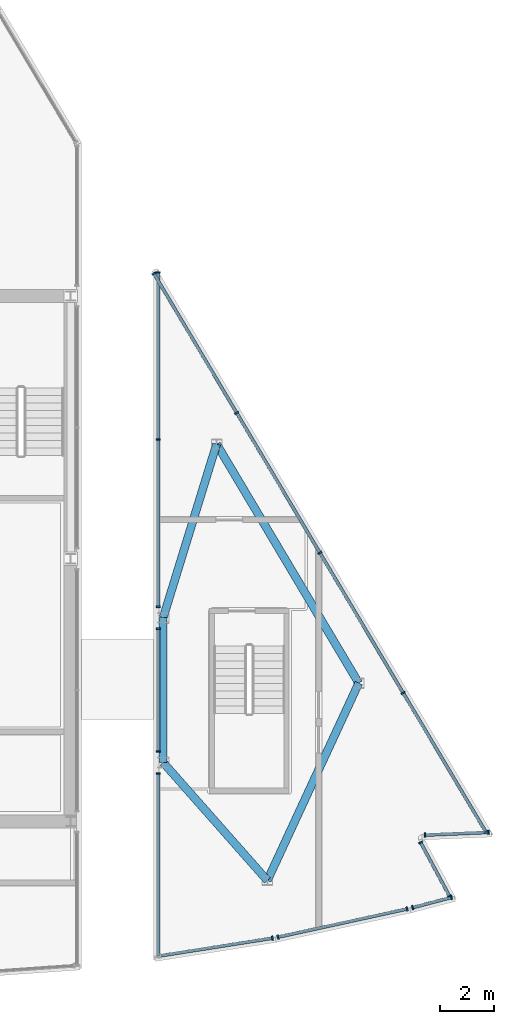
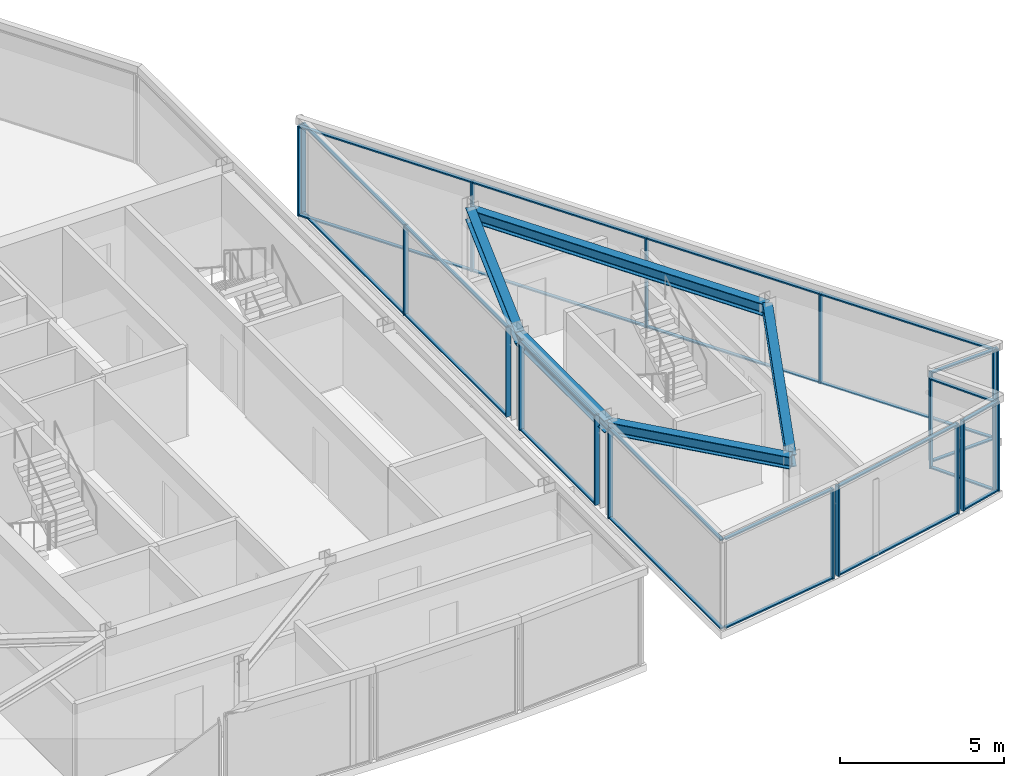
# One storey, part 6 of 15: 46 members, 5 beams, 9 elements without a shape of their own.
"""IFC4 building model written with IfcOpenShell, lengths in metres."""

from ifc_helpers import new_model, si_unit, direction, frame, origin, origin_2d, place, context, subcontext, project, spatial, rectangle, i_section, extrude, material, material_profile, profile_set, type_object, element, aggregate, save


model = new_model("IFC4")

# Units and contexts
model_context = context("Model", 3, precision=1e-05, world=origin(), true_north=direction((0.0, 1.0)))
body_context = subcontext(model_context, "Body", "Model", "MODEL_VIEW")
ifc_project = project(units=[si_unit("LENGTHUNIT", "METRE"), si_unit("AREAUNIT", "SQUARE_METRE"), si_unit("VOLUMEUNIT", "CUBIC_METRE"), si_unit("PLANEANGLEUNIT", "RADIAN"), si_unit("MASSUNIT", "GRAM", prefix="KILO")], contexts=[model_context])

# Site, building, storey
site_placement = place(None, origin())
site = spatial("IfcSite", under=ifc_project, at=site_placement, CompositionType="ELEMENT")
building_placement = place(site_placement, origin())
building = spatial("IfcBuilding", under=site, at=building_placement, Name="Savorim Split Tower", CompositionType="ELEMENT")
storey_placement = place(building_placement, frame((0.0, 0.0, 301.199951171875)))
storey = spatial("IfcBuildingStorey", under=building, at=storey_placement, Name="Crown L80 Plant", CompositionType="ELEMENT", Elevation=301.199951171875)

# Beams
ifc_material_1 = material(Name="Steel S355", Category="steel")
ifc_material_profile_1 = material_profile(ifc_material_1, i_section(OverallWidth=0.300048828125, OverallDepth=0.449951171875, WebThickness=0.013916015625, FlangeThickness=0.02587890625, FilletRadius=0.027099609375, at=origin_2d()), Name="HEB 450")
ifc_profile_set_1 = profile_set([ifc_material_profile_1], Name="Steel S355")
beam_type = type_object("IfcBeamType", Name="BM-PRI-HEB450", PredefinedType="BEAM", material=ifc_profile_set_1)
beam_1_placement = place(storey_placement, frame((11.14990234375, -1.800048828125, 3.114990234375), z_axis=(0.0, -1.0, 0.0), x_axis=(1.0, 0.0, 0.0)))
element("IfcBeam", 1, at=beam_1_placement, inside=storey, type_object=beam_type, Name="Crown L80 Plant East Crown Beam EBG-1", PredefinedType="BEAM", context=body_context, shape_type="SweptSolid", body=[
    extrude(i_section(OverallWidth=0.300048828125, OverallDepth=0.449951171875, WebThickness=0.013916015625, FlangeThickness=0.02587890625, FilletRadius=0.027099609375, at=origin_2d()), origin(), (0.0, 0.0, 1.0), 5.39990234375),
])
beam_2_placement = place(storey_placement, frame((11.14990234375, -7.199951171875, 3.114990234375), z_axis=(0.661950206721, -0.749547812899, 0.0), x_axis=(0.749547812899, 0.661950206721, 0.0)))
element("IfcBeam", 2, at=beam_2_placement, inside=storey, type_object=beam_type, Name="Crown L80 Plant East Crown Beam EBG-2", PredefinedType="BEAM", context=body_context, shape_type="SweptSolid", body=[
    extrude(i_section(OverallWidth=0.300048828125, OverallDepth=0.449951171875, WebThickness=0.013916015625, FlangeThickness=0.02587890625, FilletRadius=0.027099609375, at=origin_2d()), origin(), (0.0, 0.0, 1.0), 5.872314453125),
])
beam_3_placement = place(storey_placement, frame((15.037109375, -11.6015625, 3.114990234375), z_axis=(0.420180016877, 0.9074407713, 0.0), x_axis=(-0.9074407713, 0.420180016877, 0.0)))
element("IfcBeam", 3, at=beam_3_placement, inside=storey, type_object=beam_type, Name="Crown L80 Plant East Crown Beam EBG-3", PredefinedType="BEAM", context=body_context, shape_type="SweptSolid", body=[
    extrude(i_section(OverallWidth=0.300048828125, OverallDepth=0.449951171875, WebThickness=0.013916015625, FlangeThickness=0.02587890625, FilletRadius=0.027099609375, at=origin_2d()), origin(), (0.0, 0.0, 1.0), 8.112548828125),
])
beam_4_placement = place(storey_placement, frame((18.44580078125, -4.239990234375, 3.114990234375), z_axis=(-0.511103121152, 0.859519400333, 0.0), x_axis=(-0.859519400333, -0.511103121152, 0.0)))
element("IfcBeam", 4, at=beam_4_placement, inside=storey, type_object=beam_type, Name="Crown L80 Plant East Crown Beam EBG-4", PredefinedType="BEAM", context=body_context, shape_type="SweptSolid", body=[
    extrude(i_section(OverallWidth=0.300048828125, OverallDepth=0.449951171875, WebThickness=0.013916015625, FlangeThickness=0.02587890625, FilletRadius=0.027099609375, at=origin_2d()), origin(), (0.0, 0.0, 1.0), 10.372802734375),
])
beam_5_placement = place(storey_placement, frame((11.14990234375, -1.800048828125, 3.114990234375), z_axis=(0.294341564788, 0.955700289441, 0.0), x_axis=(-0.955700289441, 0.294341564788, 0.0)))
element("IfcBeam", 5, at=beam_5_placement, inside=storey, type_object=beam_type, Name="Crown L80 Plant East Crown Perimeter Tie Beam", PredefinedType="BEAM", context=body_context, shape_type="SweptSolid", body=[
    extrude(i_section(OverallWidth=0.300048828125, OverallDepth=0.449951171875, WebThickness=0.013916015625, FlangeThickness=0.02587890625, FilletRadius=0.027099609375, at=origin_2d()), origin(), (0.0, 0.0, 1.0), 6.775634765625),
])

# Curtain wall, members
ifc_material_2 = material(Name="Dark Ceramic-Fritted Insulated Glass", Category="glass")
curtain_wall_type = type_object("IfcCurtainWallType", Name="CW-CROWN-CREST", PredefinedType="NOTDEFINED", material=ifc_material_2)
curtain_wall_1_placement = place(storey_placement, origin())
curtain_wall_1 = element("IfcCurtainWall", 6, at=curtain_wall_1_placement, inside=storey, type_object=curtain_wall_type, Name="Crown L80 Plant Curtain Wall CW-Crown-L80-Plant-E1AS1", PredefinedType="NOTDEFINED")
ifc_material_3 = material(Name="Charcoal Anodised Aluminium", Category="aluminium")
ifc_material_profile_2 = material_profile(ifc_material_3, rectangle(XDim=0.159912109375, YDim=0.06005859375, at=origin_2d()), Name="ALU-M 160x60")
ifc_profile_set_2 = profile_set([ifc_material_profile_2], Name="Charcoal Anodised Aluminium")
member_type_1 = type_object("IfcMemberType", Name="CWM-160x60", PredefinedType="MULLION", material=ifc_profile_set_2)
member_1_placement = place(storey_placement, frame((10.969970703125, 11.08251953125, 0.0), z_axis=(0.0, 0.0, 1.0), x_axis=(1.0, 0.0, 0.0)))
member_1 = element("IfcMember", 7, at=member_1_placement, type_object=member_type_1, Name="CW-07 mullion 1", PredefinedType="MULLION", context=body_context, shape_type="SweptSolid", body=[
    extrude(rectangle(XDim=0.159912109375, YDim=0.06005859375, at=origin_2d()), origin(), (0.0, 0.0, 1.0), 3.340087890625),
])
member_2_placement = place(storey_placement, frame((10.969970703125, 4.84619140625, 0.0), z_axis=(0.0, 0.0, 1.0), x_axis=(1.0, 0.0, 0.0)))
member_2 = element("IfcMember", 8, at=member_2_placement, type_object=member_type_1, Name="CW-07 mullion 2", PredefinedType="MULLION", context=body_context, shape_type="SweptSolid", body=[
    extrude(rectangle(XDim=0.159912109375, YDim=0.06005859375, at=origin_2d()), origin(), (0.0, 0.0, 1.0), 3.340087890625),
])
member_3_placement = place(storey_placement, frame((10.969970703125, -1.389892578125, 0.0), z_axis=(0.0, 0.0, 1.0), x_axis=(1.0, 0.0, 0.0)))
member_3 = element("IfcMember", 9, at=member_3_placement, type_object=member_type_1, Name="CW-07 mullion 3", PredefinedType="MULLION", context=body_context, shape_type="SweptSolid", body=[
    extrude(rectangle(XDim=0.159912109375, YDim=0.06005859375, at=origin_2d()), origin(), (0.0, 0.0, 1.0), 3.340087890625),
])

curtain_wall_2_placement = place(storey_placement, origin())
curtain_wall_2 = element("IfcCurtainWall", 10, at=curtain_wall_2_placement, inside=storey, type_object=curtain_wall_type, Name="Crown L80 Plant Curtain Wall CW-Crown-L80-Plant-E1AS2", PredefinedType="NOTDEFINED")
member_4_placement = place(storey_placement, frame((10.969970703125, -2.2099609375, 0.0), z_axis=(0.0, 0.0, 1.0), x_axis=(1.0, 0.0, 0.0)))
member_4 = element("IfcMember", 11, at=member_4_placement, type_object=member_type_1, Name="CW-07 mullion 1", PredefinedType="MULLION", context=body_context, shape_type="SweptSolid", body=[
    extrude(rectangle(XDim=0.159912109375, YDim=0.06005859375, at=origin_2d()), origin(), (0.0, 0.0, 1.0), 3.340087890625),
])
member_5_placement = place(storey_placement, frame((10.969970703125, -6.7900390625, 0.0), z_axis=(0.0, 0.0, 1.0), x_axis=(1.0, 0.0, 0.0)))
member_5 = element("IfcMember", 12, at=member_5_placement, type_object=member_type_1, Name="CW-07 mullion 2", PredefinedType="MULLION", context=body_context, shape_type="SweptSolid", body=[
    extrude(rectangle(XDim=0.159912109375, YDim=0.06005859375, at=origin_2d()), origin(), (0.0, 0.0, 1.0), 3.340087890625),
])

# Curtain wall, member
curtain_wall_3_placement = place(storey_placement, origin())
curtain_wall_3 = element("IfcCurtainWall", 13, at=curtain_wall_3_placement, inside=storey, type_object=curtain_wall_type, Name="Crown L80 Plant Curtain Wall CW-Crown-L80-Plant-E1AS3", PredefinedType="NOTDEFINED")
member_6_placement = place(storey_placement, frame((10.969970703125, -7.610107421875, 0.0), z_axis=(0.0, 0.0, 1.0), x_axis=(1.0, 0.0, 0.0)))
member_6 = element("IfcMember", 14, at=member_6_placement, type_object=member_type_1, Name="CW-07 mullion 1", PredefinedType="MULLION", context=body_context, shape_type="SweptSolid", body=[
    extrude(rectangle(XDim=0.159912109375, YDim=0.06005859375, at=origin_2d()), origin(), (0.0, 0.0, 1.0), 3.340087890625),
])

curtain_wall_4_placement = place(storey_placement, origin())
curtain_wall_4 = element("IfcCurtainWall", 15, at=curtain_wall_4_placement, inside=storey, type_object=curtain_wall_type, Name="Crown L80 Plant Curtain Wall CW-Crown-L80-Plant-E2A", PredefinedType="NOTDEFINED")
member_7_placement = place(storey_placement, frame((15.224365234375, -13.751220703125, 0.0), z_axis=(0.0, 0.0, 1.0), x_axis=(-0.155472022798, 0.987840295861, 0.0)))
member_7 = element("IfcMember", 16, at=member_7_placement, type_object=member_type_1, Name="CW-07 mullion 2", PredefinedType="MULLION", context=body_context, shape_type="SweptSolid", body=[
    extrude(rectangle(XDim=0.159912109375, YDim=0.06005859375, at=origin_2d()), origin(), (0.0, 0.0, 1.0), 3.340087890625),
])

# Curtain wall, members
curtain_wall_5_placement = place(storey_placement, origin())
curtain_wall_5 = element("IfcCurtainWall", 17, at=curtain_wall_5_placement, inside=storey, type_object=curtain_wall_type, Name="Crown L80 Plant Curtain Wall CW-Crown-L80-Plant-E3A", PredefinedType="NOTDEFINED")
member_8_placement = place(storey_placement, frame((15.43359375, -13.7119140625, 0.0), z_axis=(0.0, 0.0, 1.0), x_axis=(-0.213220686311, 0.977004062903, 0.0)))
member_8 = element("IfcMember", 18, at=member_8_placement, type_object=member_type_1, Name="CW-07 mullion 1", PredefinedType="MULLION", context=body_context, shape_type="SweptSolid", body=[
    extrude(rectangle(XDim=0.159912109375, YDim=0.06005859375, at=origin_2d()), origin(), (0.0, 0.0, 1.0), 3.340087890625),
])
member_9_placement = place(storey_placement, frame((20.245849609375, -12.661865234375, 0.0), z_axis=(0.0, 0.0, 1.0), x_axis=(-0.213220686311, 0.977004062903, 0.0)))
member_9 = element("IfcMember", 19, at=member_9_placement, type_object=member_type_1, Name="CW-07 mullion 2", PredefinedType="MULLION", context=body_context, shape_type="SweptSolid", body=[
    extrude(rectangle(XDim=0.159912109375, YDim=0.06005859375, at=origin_2d()), origin(), (0.0, 0.0, 1.0), 3.340087890625),
])

curtain_wall_6_placement = place(storey_placement, origin())
curtain_wall_6 = element("IfcCurtainWall", 20, at=curtain_wall_6_placement, inside=storey, type_object=curtain_wall_type, Name="Crown L80 Plant Curtain Wall CW-Crown-L80-Plant-E4A", PredefinedType="NOTDEFINED")
member_10_placement = place(storey_placement, frame((20.454833984375, -12.61181640625, 0.0), z_axis=(0.0, 0.0, 1.0), x_axis=(-0.253049962794, 0.967453211442, 0.0)))
member_10 = element("IfcMember", 21, at=member_10_placement, type_object=member_type_1, Name="CW-07 mullion 1", PredefinedType="MULLION", context=body_context, shape_type="SweptSolid", body=[
    extrude(rectangle(XDim=0.159912109375, YDim=0.06005859375, at=origin_2d()), origin(), (0.0, 0.0, 1.0), 3.340087890625),
])
member_11_placement = place(storey_placement, frame((21.901611328125, -12.2333984375, 0.0), z_axis=(0.0, 0.0, 1.0), x_axis=(-0.253049962794, 0.967453211442, 0.0)))
member_11 = element("IfcMember", 22, at=member_11_placement, type_object=member_type_1, Name="CW-07 mullion 2", PredefinedType="MULLION", context=body_context, shape_type="SweptSolid", body=[
    extrude(rectangle(XDim=0.159912109375, YDim=0.06005859375, at=origin_2d()), origin(), (0.0, 0.0, 1.0), 3.340087890625),
])

curtain_wall_7_placement = place(storey_placement, origin())
curtain_wall_7 = element("IfcCurtainWall", 23, at=curtain_wall_7_placement, inside=storey, type_object=curtain_wall_type, Name="Crown L80 Plant Curtain Wall CW-Crown-L80-Plant-E5A", PredefinedType="NOTDEFINED")
member_12_placement = place(storey_placement, frame((21.8310546875, -12.18896484375, 0.0), z_axis=(0.0, 0.0, 1.0), x_axis=(-0.881163314691, -0.472812026966, 0.0)))
member_12 = element("IfcMember", 24, at=member_12_placement, type_object=member_type_1, Name="CW-07 mullion 1", PredefinedType="MULLION", context=body_context, shape_type="SweptSolid", body=[
    extrude(rectangle(XDim=0.159912109375, YDim=0.06005859375, at=origin_2d()), origin(), (0.0, 0.0, 1.0), 3.340087890625),
])
member_13_placement = place(storey_placement, frame((20.75537109375, -10.184326171875, 0.0), z_axis=(0.0, 0.0, 1.0), x_axis=(-0.881163314691, -0.472812026966, 0.0)))
member_13 = element("IfcMember", 25, at=member_13_placement, type_object=member_type_1, Name="CW-07 mullion 2", PredefinedType="MULLION", context=body_context, shape_type="SweptSolid", body=[
    extrude(rectangle(XDim=0.159912109375, YDim=0.06005859375, at=origin_2d()), origin(), (0.0, 0.0, 1.0), 3.340087890625),
])

curtain_wall_8_placement = place(storey_placement, origin())
curtain_wall_8 = element("IfcCurtainWall", 26, at=curtain_wall_8_placement, inside=storey, type_object=curtain_wall_type, Name="Crown L80 Plant Curtain Wall CW-Crown-L80-Plant-E6A", PredefinedType="NOTDEFINED")
member_14_placement = place(storey_placement, frame((20.9140625, -9.90625, 0.0), z_axis=(0.0, 0.0, 1.0), x_axis=(-0.042504260501, 0.99909628557, 0.0)))
member_14 = element("IfcMember", 27, at=member_14_placement, type_object=member_type_1, Name="CW-07 mullion 1", PredefinedType="MULLION", context=body_context, shape_type="SweptSolid", body=[
    extrude(rectangle(XDim=0.159912109375, YDim=0.06005859375, at=origin_2d()), origin(), (0.0, 0.0, 1.0), 3.340087890625),
])
member_15_placement = place(storey_placement, frame((23.289306640625, -9.80517578125, 0.0), z_axis=(0.0, 0.0, 1.0), x_axis=(-0.042504260501, 0.99909628557, 0.0)))
member_15 = element("IfcMember", 28, at=member_15_placement, type_object=member_type_1, Name="CW-07 mullion 2", PredefinedType="MULLION", context=body_context, shape_type="SweptSolid", body=[
    extrude(rectangle(XDim=0.159912109375, YDim=0.06005859375, at=origin_2d()), origin(), (0.0, 0.0, 1.0), 3.340087890625),
])

curtain_wall_9_placement = place(storey_placement, origin())
curtain_wall_9 = element("IfcCurtainWall", 29, at=curtain_wall_9_placement, inside=storey, type_object=curtain_wall_type, Name="Crown L80 Plant Curtain Wall CW-Crown-L80-Plant-E7A", PredefinedType="NOTDEFINED")
member_16_placement = place(storey_placement, frame((23.191162109375, -9.796875, 0.0), z_axis=(0.0, 0.0, 1.0), x_axis=(-0.859524454162, -0.51109462206, 0.0)))
member_16 = element("IfcMember", 30, at=member_16_placement, type_object=member_type_1, Name="CW-07 mullion 1", PredefinedType="MULLION", context=body_context, shape_type="SweptSolid", body=[
    extrude(rectangle(XDim=0.159912109375, YDim=0.06005859375, at=origin_2d()), origin(), (0.0, 0.0, 1.0), 3.340087890625),
])
member_17_placement = place(storey_placement, frame((20.101806640625, -4.601318359375, 0.0), z_axis=(0.0, 0.0, 1.0), x_axis=(-0.859524454162, -0.51109462206, 0.0)))
member_17 = element("IfcMember", 31, at=member_17_placement, type_object=member_type_1, Name="CW-07 mullion 2", PredefinedType="MULLION", context=body_context, shape_type="SweptSolid", body=[
    extrude(rectangle(XDim=0.159912109375, YDim=0.06005859375, at=origin_2d()), origin(), (0.0, 0.0, 1.0), 3.340087890625),
])
member_18_placement = place(storey_placement, frame((16.9970703125, 0.619873046875, 0.0), z_axis=(0.0, 0.0, 1.0), x_axis=(-0.859524454162, -0.51109462206, 0.0)))
member_18 = element("IfcMember", 32, at=member_18_placement, type_object=member_type_1, Name="CW-07 mullion 3", PredefinedType="MULLION", context=body_context, shape_type="SweptSolid", body=[
    extrude(rectangle(XDim=0.159912109375, YDim=0.06005859375, at=origin_2d()), origin(), (0.0, 0.0, 1.0), 3.340087890625),
])
member_19_placement = place(storey_placement, frame((13.892333984375, 5.841064453125, 0.0), z_axis=(0.0, 0.0, 1.0), x_axis=(-0.859524454162, -0.51109462206, 0.0)))
member_19 = element("IfcMember", 33, at=member_19_placement, type_object=member_type_1, Name="CW-07 mullion 4", PredefinedType="MULLION", context=body_context, shape_type="SweptSolid", body=[
    extrude(rectangle(XDim=0.159912109375, YDim=0.06005859375, at=origin_2d()), origin(), (0.0, 0.0, 1.0), 3.340087890625),
])
member_20_placement = place(storey_placement, frame((10.802978515625, 11.03662109375, 0.0), z_axis=(0.0, 0.0, 1.0), x_axis=(-0.859524454162, -0.51109462206, 0.0)))
member_20 = element("IfcMember", 34, at=member_20_placement, type_object=member_type_1, Name="CW-07 mullion 5", PredefinedType="MULLION", context=body_context, shape_type="SweptSolid", body=[
    extrude(rectangle(XDim=0.159912109375, YDim=0.06005859375, at=origin_2d()), origin(), (0.0, 0.0, 1.0), 3.340087890625),
])

# Member
ifc_material_profile_3 = material_profile(ifc_material_3, rectangle(XDim=0.1201171875, YDim=0.050048828125, at=origin_2d()), Name="ALU-T 120x50")
ifc_profile_set_3 = profile_set([ifc_material_profile_3], Name="Charcoal Anodised Aluminium")
member_type_2 = type_object("IfcMemberType", Name="CWT-120x50", PredefinedType="USERDEFINED", material=ifc_profile_set_3)
member_21_placement = place(storey_placement, frame((10.969970703125, 11.052490234375, 0.025146484375), z_axis=(0.0, -1.0, 0.0), x_axis=(1.0, 0.0, 0.0)))
member_21 = element("IfcMember", 35, at=member_21_placement, type_object=member_type_2, Name="CW-07 transom 1.1", ObjectType="TRANSOM", PredefinedType="USERDEFINED", context=body_context, shape_type="SweptSolid", body=[
    extrude(rectangle(XDim=0.1201171875, YDim=0.050048828125, at=origin_2d()), origin(), (0.0, 0.0, 1.0), 6.17626953125),
])

member_22_placement = place(storey_placement, frame((10.969970703125, 11.052490234375, 3.31494140625), z_axis=(0.0, -1.0, 0.0), x_axis=(1.0, 0.0, 0.0)))
member_22 = element("IfcMember", 36, at=member_22_placement, type_object=member_type_2, Name="CW-07 transom 1.2", ObjectType="TRANSOM", PredefinedType="USERDEFINED", context=body_context, shape_type="SweptSolid", body=[
    extrude(rectangle(XDim=0.1201171875, YDim=0.050048828125, at=origin_2d()), origin(), (0.0, 0.0, 1.0), 6.17626953125),
])

member_23_placement = place(storey_placement, frame((10.969970703125, 4.816162109375, 0.025146484375), z_axis=(0.0, -1.0, 0.0), x_axis=(1.0, 0.0, 0.0)))
member_23 = element("IfcMember", 37, at=member_23_placement, type_object=member_type_2, Name="CW-07 transom 2.1", ObjectType="TRANSOM", PredefinedType="USERDEFINED", context=body_context, shape_type="SweptSolid", body=[
    extrude(rectangle(XDim=0.1201171875, YDim=0.050048828125, at=origin_2d()), origin(), (0.0, 0.0, 1.0), 6.17626953125),
])

member_24_placement = place(storey_placement, frame((10.969970703125, 4.816162109375, 3.31494140625), z_axis=(0.0, -1.0, 0.0), x_axis=(1.0, 0.0, 0.0)))
member_24 = element("IfcMember", 38, at=member_24_placement, type_object=member_type_2, Name="CW-07 transom 2.2", ObjectType="TRANSOM", PredefinedType="USERDEFINED", context=body_context, shape_type="SweptSolid", body=[
    extrude(rectangle(XDim=0.1201171875, YDim=0.050048828125, at=origin_2d()), origin(), (0.0, 0.0, 1.0), 6.17626953125),
])

aggregate(curtain_wall_1, [member_1, member_2, member_3, member_21, member_22, member_23, member_24])

member_25_placement = place(storey_placement, frame((10.969970703125, -2.239990234375, 0.025146484375), z_axis=(0.0, -1.0, 0.0), x_axis=(1.0, 0.0, 0.0)))
member_25 = element("IfcMember", 39, at=member_25_placement, type_object=member_type_2, Name="CW-07 transom 1.1", ObjectType="TRANSOM", PredefinedType="USERDEFINED", context=body_context, shape_type="SweptSolid", body=[
    extrude(rectangle(XDim=0.1201171875, YDim=0.050048828125, at=origin_2d()), origin(), (0.0, 0.0, 1.0), 4.52001953125),
])

member_26_placement = place(storey_placement, frame((10.969970703125, -2.239990234375, 3.31494140625), z_axis=(0.0, -1.0, 0.0), x_axis=(1.0, 0.0, 0.0)))
member_26 = element("IfcMember", 40, at=member_26_placement, type_object=member_type_2, Name="CW-07 transom 1.2", ObjectType="TRANSOM", PredefinedType="USERDEFINED", context=body_context, shape_type="SweptSolid", body=[
    extrude(rectangle(XDim=0.1201171875, YDim=0.050048828125, at=origin_2d()), origin(), (0.0, 0.0, 1.0), 4.52001953125),
])

aggregate(curtain_wall_2, [member_4, member_5, member_25, member_26])

member_27_placement = place(storey_placement, frame((10.969970703125, -7.639892578125, 0.025146484375), z_axis=(0.0, -1.0, 0.0), x_axis=(1.0, 0.0, 0.0)))
member_27 = element("IfcMember", 41, at=member_27_placement, type_object=member_type_2, Name="CW-07 transom 1.1", ObjectType="TRANSOM", PredefinedType="USERDEFINED", context=body_context, shape_type="SweptSolid", body=[
    extrude(rectangle(XDim=0.1201171875, YDim=0.050048828125, at=origin_2d()), origin(), (0.0, 0.0, 1.0), 6.78125),
])

member_28_placement = place(storey_placement, frame((10.969970703125, -7.639892578125, 3.31494140625), z_axis=(0.0, -1.0, 0.0), x_axis=(1.0, 0.0, 0.0)))
member_28 = element("IfcMember", 42, at=member_28_placement, type_object=member_type_2, Name="CW-07 transom 1.2", ObjectType="TRANSOM", PredefinedType="USERDEFINED", context=body_context, shape_type="SweptSolid", body=[
    extrude(rectangle(XDim=0.1201171875, YDim=0.050048828125, at=origin_2d()), origin(), (0.0, 0.0, 1.0), 6.78125),
])

aggregate(curtain_wall_3, [member_6, member_27, member_28])

member_29_placement = place(storey_placement, frame((11.073486328125, -14.404541015625, 0.025146484375), z_axis=(0.987838763282, 0.155481760206, 0.0), x_axis=(-0.155481760206, 0.987838763282, 0.0)))
member_29 = element("IfcMember", 43, at=member_29_placement, type_object=member_type_2, Name="CW-07 transom 1.1", ObjectType="TRANSOM", PredefinedType="USERDEFINED", context=body_context, shape_type="SweptSolid", body=[
    extrude(rectangle(XDim=0.1201171875, YDim=0.050048828125, at=origin_2d()), origin(), (0.0, 0.0, 1.0), 4.172119140625),
])

member_30_placement = place(storey_placement, frame((11.073486328125, -14.404541015625, 3.31494140625), z_axis=(0.987838763282, 0.155481760206, 0.0), x_axis=(-0.155481760206, 0.987838763282, 0.0)))
member_30 = element("IfcMember", 44, at=member_30_placement, type_object=member_type_2, Name="CW-07 transom 1.2", ObjectType="TRANSOM", PredefinedType="USERDEFINED", context=body_context, shape_type="SweptSolid", body=[
    extrude(rectangle(XDim=0.1201171875, YDim=0.050048828125, at=origin_2d()), origin(), (0.0, 0.0, 1.0), 4.172119140625),
])

aggregate(curtain_wall_4, [member_7, member_29, member_30])

member_31_placement = place(storey_placement, frame((15.462890625, -13.70556640625, 0.025146484375), z_axis=(0.977007590409, 0.213204522194, 0.0), x_axis=(-0.213204522194, 0.977007590409, 0.0)))
member_31 = element("IfcMember", 45, at=member_31_placement, type_object=member_type_2, Name="CW-07 transom 1.1", ObjectType="TRANSOM", PredefinedType="USERDEFINED", context=body_context, shape_type="SweptSolid", body=[
    extrude(rectangle(XDim=0.1201171875, YDim=0.050048828125, at=origin_2d()), origin(), (0.0, 0.0, 1.0), 4.865478515625),
])

member_32_placement = place(storey_placement, frame((15.462890625, -13.70556640625, 3.31494140625), z_axis=(0.977007590409, 0.213204522194, 0.0), x_axis=(-0.213204522194, 0.977007590409, 0.0)))
member_32 = element("IfcMember", 46, at=member_32_placement, type_object=member_type_2, Name="CW-07 transom 1.2", ObjectType="TRANSOM", PredefinedType="USERDEFINED", context=body_context, shape_type="SweptSolid", body=[
    extrude(rectangle(XDim=0.1201171875, YDim=0.050048828125, at=origin_2d()), origin(), (0.0, 0.0, 1.0), 4.865478515625),
])

aggregate(curtain_wall_5, [member_8, member_9, member_31, member_32])

member_33_placement = place(storey_placement, frame((20.48388671875, -12.60400390625, 0.025146484375), z_axis=(0.967485281175, 0.252927322979, 0.0), x_axis=(-0.252927322979, 0.967485281175, 0.0)))
member_33 = element("IfcMember", 47, at=member_33_placement, type_object=member_type_2, Name="CW-07 transom 1.1", ObjectType="TRANSOM", PredefinedType="USERDEFINED", context=body_context, shape_type="SweptSolid", body=[
    extrude(rectangle(XDim=0.1201171875, YDim=0.050048828125, at=origin_2d()), origin(), (0.0, 0.0, 1.0), 1.435302734375),
])

member_34_placement = place(storey_placement, frame((20.48388671875, -12.60400390625, 3.31494140625), z_axis=(0.967485281175, 0.252927322979, 0.0), x_axis=(-0.252927322979, 0.967485281175, 0.0)))
member_34 = element("IfcMember", 48, at=member_34_placement, type_object=member_type_2, Name="CW-07 transom 1.2", ObjectType="TRANSOM", PredefinedType="USERDEFINED", context=body_context, shape_type="SweptSolid", body=[
    extrude(rectangle(XDim=0.1201171875, YDim=0.050048828125, at=origin_2d()), origin(), (0.0, 0.0, 1.0), 1.435302734375),
])

aggregate(curtain_wall_6, [member_10, member_11, member_33, member_34])

member_35_placement = place(storey_placement, frame((21.81689453125, -12.162353515625, 0.025146484375), z_axis=(-0.472823967921, 0.881156907343, 0.0), x_axis=(-0.881156907343, -0.472823967921, 0.0)))
member_35 = element("IfcMember", 49, at=member_35_placement, type_object=member_type_2, Name="CW-07 transom 1.1", ObjectType="TRANSOM", PredefinedType="USERDEFINED", context=body_context, shape_type="SweptSolid", body=[
    extrude(rectangle(XDim=0.1201171875, YDim=0.050048828125, at=origin_2d()), origin(), (0.0, 0.0, 1.0), 2.214599609375),
])

member_36_placement = place(storey_placement, frame((21.81689453125, -12.162353515625, 3.31494140625), z_axis=(-0.472823967921, 0.881156907343, 0.0), x_axis=(-0.881156907343, -0.472823967921, 0.0)))
member_36 = element("IfcMember", 50, at=member_36_placement, type_object=member_type_2, Name="CW-07 transom 1.2", ObjectType="TRANSOM", PredefinedType="USERDEFINED", context=body_context, shape_type="SweptSolid", body=[
    extrude(rectangle(XDim=0.1201171875, YDim=0.050048828125, at=origin_2d()), origin(), (0.0, 0.0, 1.0), 2.214599609375),
])

aggregate(curtain_wall_7, [member_12, member_13, member_35, member_36])

member_37_placement = place(storey_placement, frame((20.94384765625, -9.905029296875, 0.025146484375), z_axis=(0.999093935565, 0.042559463303, 0.0), x_axis=(-0.042559463303, 0.999093935565, 0.0)))
member_37 = element("IfcMember", 51, at=member_37_placement, type_object=member_type_2, Name="CW-07 transom 1.1", ObjectType="TRANSOM", PredefinedType="USERDEFINED", context=body_context, shape_type="SweptSolid", body=[
    extrude(rectangle(XDim=0.1201171875, YDim=0.050048828125, at=origin_2d()), origin(), (0.0, 0.0, 1.0), 2.317626953125),
])

member_38_placement = place(storey_placement, frame((20.94384765625, -9.905029296875, 3.31494140625), z_axis=(0.999093935565, 0.042559463303, 0.0), x_axis=(-0.042559463303, 0.999093935565, 0.0)))
member_38 = element("IfcMember", 52, at=member_38_placement, type_object=member_type_2, Name="CW-07 transom 1.2", ObjectType="TRANSOM", PredefinedType="USERDEFINED", context=body_context, shape_type="SweptSolid", body=[
    extrude(rectangle(XDim=0.1201171875, YDim=0.050048828125, at=origin_2d()), origin(), (0.0, 0.0, 1.0), 2.317626953125),
])

aggregate(curtain_wall_8, [member_14, member_15, member_37, member_38])

member_39_placement = place(storey_placement, frame((23.17578125, -9.771240234375, 0.025146484375), z_axis=(-0.511072134606, 0.859537825363, 0.0), x_axis=(-0.859537825363, -0.511072134606, 0.0)))
member_39 = element("IfcMember", 53, at=member_39_placement, type_object=member_type_2, Name="CW-07 transom 1.1", ObjectType="TRANSOM", PredefinedType="USERDEFINED", context=body_context, shape_type="SweptSolid", body=[
    extrude(rectangle(XDim=0.1201171875, YDim=0.050048828125, at=origin_2d()), origin(), (0.0, 0.0, 1.0), 5.984619140625),
])

member_40_placement = place(storey_placement, frame((23.17578125, -9.771240234375, 3.31494140625), z_axis=(-0.511072134606, 0.859537825363, 0.0), x_axis=(-0.859537825363, -0.511072134606, 0.0)))
member_40 = element("IfcMember", 54, at=member_40_placement, type_object=member_type_2, Name="CW-07 transom 1.2", ObjectType="TRANSOM", PredefinedType="USERDEFINED", context=body_context, shape_type="SweptSolid", body=[
    extrude(rectangle(XDim=0.1201171875, YDim=0.050048828125, at=origin_2d()), origin(), (0.0, 0.0, 1.0), 5.984619140625),
])

member_41_placement = place(storey_placement, frame((20.08642578125, -4.57568359375, 0.025146484375), z_axis=(-0.511089171621, 0.859527695105, 0.0), x_axis=(-0.859527695105, -0.511089171621, 0.0)))
member_41 = element("IfcMember", 55, at=member_41_placement, type_object=member_type_2, Name="CW-07 transom 2.1", ObjectType="TRANSOM", PredefinedType="USERDEFINED", context=body_context, shape_type="SweptSolid", body=[
    extrude(rectangle(XDim=0.1201171875, YDim=0.050048828125, at=origin_2d()), origin(), (0.0, 0.0, 1.0), 6.0146484375),
])

member_42_placement = place(storey_placement, frame((20.08642578125, -4.57568359375, 3.31494140625), z_axis=(-0.511089171621, 0.859527695105, 0.0), x_axis=(-0.859527695105, -0.511089171621, 0.0)))
member_42 = element("IfcMember", 56, at=member_42_placement, type_object=member_type_2, Name="CW-07 transom 2.2", ObjectType="TRANSOM", PredefinedType="USERDEFINED", context=body_context, shape_type="SweptSolid", body=[
    extrude(rectangle(XDim=0.1201171875, YDim=0.050048828125, at=origin_2d()), origin(), (0.0, 0.0, 1.0), 6.0146484375),
])

member_43_placement = place(storey_placement, frame((16.981689453125, 0.645751953125, 0.025146484375), z_axis=(-0.511089171621, 0.859527695105, 0.0), x_axis=(-0.859527695105, -0.511089171621, 0.0)))
member_43 = element("IfcMember", 57, at=member_43_placement, type_object=member_type_2, Name="CW-07 transom 3.1", ObjectType="TRANSOM", PredefinedType="USERDEFINED", context=body_context, shape_type="SweptSolid", body=[
    extrude(rectangle(XDim=0.1201171875, YDim=0.050048828125, at=origin_2d()), origin(), (0.0, 0.0, 1.0), 6.0146484375),
])

member_44_placement = place(storey_placement, frame((16.981689453125, 0.645751953125, 3.31494140625), z_axis=(-0.511089171621, 0.859527695105, 0.0), x_axis=(-0.859527695105, -0.511089171621, 0.0)))
member_44 = element("IfcMember", 58, at=member_44_placement, type_object=member_type_2, Name="CW-07 transom 3.2", ObjectType="TRANSOM", PredefinedType="USERDEFINED", context=body_context, shape_type="SweptSolid", body=[
    extrude(rectangle(XDim=0.1201171875, YDim=0.050048828125, at=origin_2d()), origin(), (0.0, 0.0, 1.0), 6.0146484375),
])

member_45_placement = place(storey_placement, frame((13.876953125, 5.866943359375, 0.025146484375), z_axis=(-0.511090055521, 0.859527169522, 0.0), x_axis=(-0.859527169522, -0.511090055521, 0.0)))
member_45 = element("IfcMember", 59, at=member_45_placement, type_object=member_type_2, Name="CW-07 transom 4.1", ObjectType="TRANSOM", PredefinedType="USERDEFINED", context=body_context, shape_type="SweptSolid", body=[
    extrude(rectangle(XDim=0.1201171875, YDim=0.050048828125, at=origin_2d()), origin(), (0.0, 0.0, 1.0), 5.984375),
])

member_46_placement = place(storey_placement, frame((13.876953125, 5.866943359375, 3.31494140625), z_axis=(-0.511090055521, 0.859527169522, 0.0), x_axis=(-0.859527169522, -0.511090055521, 0.0)))
member_46 = element("IfcMember", 60, at=member_46_placement, type_object=member_type_2, Name="CW-07 transom 4.2", ObjectType="TRANSOM", PredefinedType="USERDEFINED", context=body_context, shape_type="SweptSolid", body=[
    extrude(rectangle(XDim=0.1201171875, YDim=0.050048828125, at=origin_2d()), origin(), (0.0, 0.0, 1.0), 5.984375),
])

aggregate(curtain_wall_9, [member_16, member_17, member_18, member_19, member_20, member_39, member_40, member_41, member_42, member_43, member_44, member_45, member_46])

save(model, "model.ifc")
